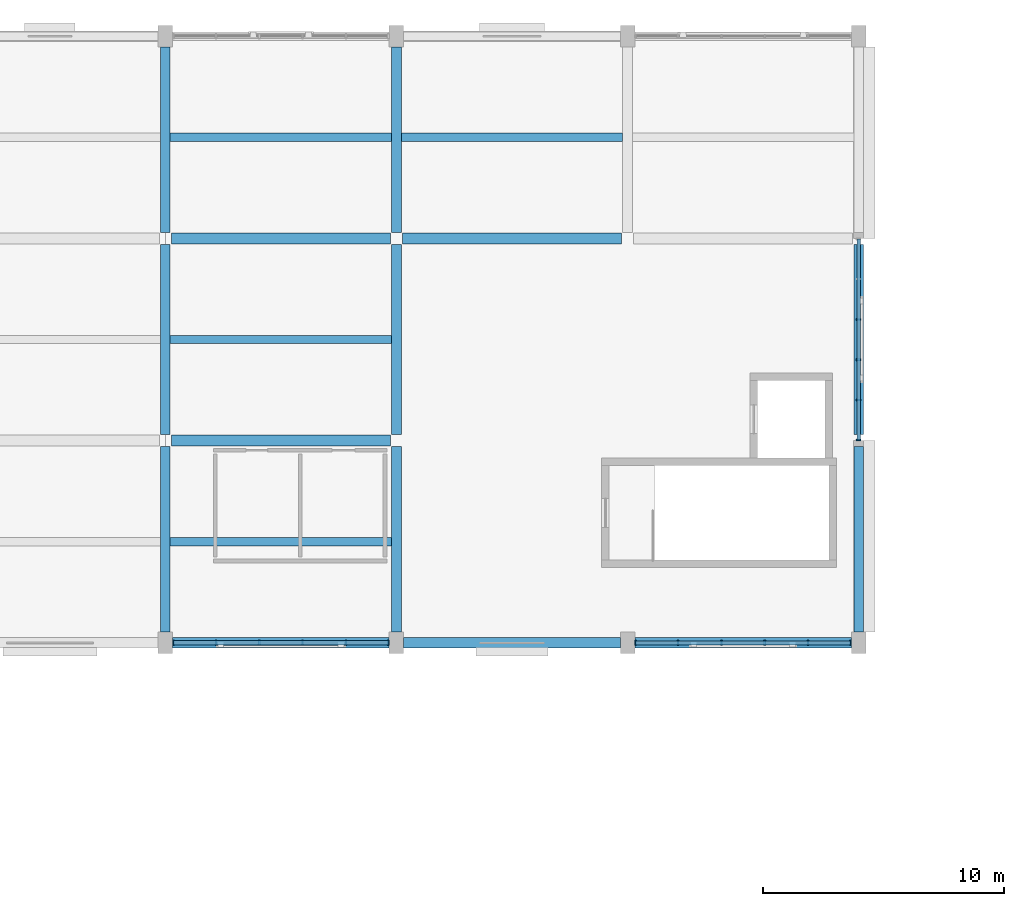
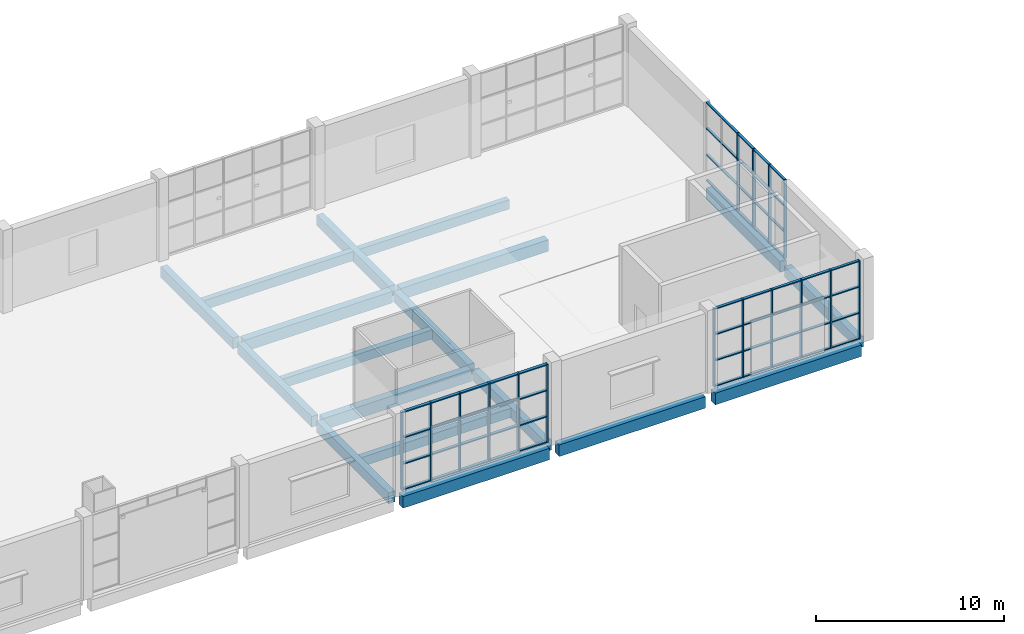
# One storey, part 20 of 57: 28 members, 18 beams, 3 elements without a shape of their own.
"""IFC4 building model written with IfcOpenShell, lengths in metres."""

from ifc_helpers import new_model, si_unit, direction, frame, origin, origin_2d, place, context, subcontext, project, spatial, rectangle, extrude, material, material_profile, profile_set, type_object, element, aggregate, save


model = new_model("IFC4")

# Units and contexts
model_context = context("Model", 3, precision=1e-05, world=origin(), true_north=direction((0.0, 1.0)))
body_context = subcontext(model_context, "Body", "Model", "MODEL_VIEW")
ifc_project = project(units=[si_unit("LENGTHUNIT", "METRE"), si_unit("AREAUNIT", "SQUARE_METRE"), si_unit("VOLUMEUNIT", "CUBIC_METRE"), si_unit("PLANEANGLEUNIT", "RADIAN"), si_unit("MASSUNIT", "GRAM", prefix="KILO")], contexts=[model_context])

# Site, building, storey
site_placement = place(None, origin())
site = spatial("IfcSite", under=ifc_project, at=site_placement, CompositionType="ELEMENT")
building_placement = place(site_placement, origin())
building = spatial("IfcBuilding", under=site, at=building_placement, Name="Shalvenor Court Art Gallery", CompositionType="ELEMENT")
storey_placement = place(building_placement, frame((0.0, 0.0, 16.800048828125)))
storey = spatial("IfcBuildingStorey", under=building, at=storey_placement, Name="L03", CompositionType="ELEMENT", Elevation=16.800048828125)

# Beams
ifc_material_1 = material(Name="Concrete C40/50", Category="concrete")
ifc_material_profile_1 = material_profile(ifc_material_1, rectangle(XDim=0.449951171875, YDim=0.75, at=origin_2d()), Name="RC 450x750")
ifc_profile_set_1 = profile_set([ifc_material_profile_1], Name="Concrete C40/50")
beam_type_1 = type_object("IfcBeamType", Name="B-04", PredefinedType="BEAM", material=ifc_profile_set_1)
for number, where, z_axis, x_axis, name in (
    (1, (96.300048828125, 97.199951171875, -0.675048828125), (1.0, 0.0, 0.0), (0.0, 1.0, 0.0), "L03 Girder BM-L03-B-04-1097"),
    (2, (105.89990234375, 97.199951171875, -0.675048828125), (1.0, 0.0, 0.0), (0.0, 1.0, 0.0), "L03 Girder BM-L03-B-04-1098"),
    (3, (115.5, 97.199951171875, -0.675048828125), (1.0, 0.0, 0.0), (0.0, 1.0, 0.0), "L03 Girder BM-L03-B-04-1099"),
):
    element("IfcBeam", number, at=place(storey_placement, frame(where, z_axis=z_axis, x_axis=x_axis)), inside=storey, type_object=beam_type_1, Name=name, PredefinedType="BEAM", context=body_context, shape_type="SweptSolid", body=[
        extrude(rectangle(XDim=0.449951171875, YDim=0.75, at=origin_2d()), origin(), (0.0, 0.0, 1.0), 9.0),
    ])
for number, where, z_axis, x_axis, name in (
    (4, (96.25, 105.60009765625, -0.675048828125), (1.0, 0.0, 0.0), (0.0, 1.0, 0.0), "L03 Girder BM-L03-B-04-1111"),
    (5, (96.25, 114.0, -0.675048828125), (1.0, 0.0, 0.0), (0.0, 1.0, 0.0), "L03 Girder BM-L03-B-04-1117"),
):
    element("IfcBeam", number, at=place(storey_placement, frame(where, z_axis=z_axis, x_axis=x_axis)), inside=storey, type_object=beam_type_1, Name=name, PredefinedType="BEAM", context=body_context, shape_type="SweptSolid", body=[
        extrude(rectangle(XDim=0.449951171875, YDim=0.75, at=origin_2d()), origin(), (0.0, 0.0, 1.0), 9.10009765625),
    ])
beam_1_placement = place(storey_placement, frame((105.85009765625, 114.0, -0.675048828125), z_axis=(1.0, 0.0, 0.0), x_axis=(0.0, 1.0, 0.0)))
element("IfcBeam", 6, at=beam_1_placement, inside=storey, type_object=beam_type_1, Name="L03 Girder BM-L03-B-04-1118", PredefinedType="BEAM", context=body_context, shape_type="SweptSolid", body=[
    extrude(rectangle(XDim=0.449951171875, YDim=0.75, at=origin_2d()), origin(), (0.0, 0.0, 1.0), 9.099853515625),
])
ifc_material_2 = material(Name="Concrete C40/50", Category="concrete")
ifc_material_profile_2 = material_profile(ifc_material_2, rectangle(XDim=0.39990234375, YDim=0.699951171875, at=origin_2d()), Name="RC 400x700")
ifc_profile_set_2 = profile_set([ifc_material_profile_2], Name="Concrete C40/50")
beam_type_2 = type_object("IfcBeamType", Name="B-05", PredefinedType="BEAM", material=ifc_profile_set_2)
beam_2_placement = place(storey_placement, frame((96.0, 97.64990234375, -0.650146484375), z_axis=(0.0, 1.0, 0.0), x_axis=(-1.0, 0.0, 0.0)))
element("IfcBeam", 7, at=beam_2_placement, inside=storey, type_object=beam_type_2, Name="L03 Girder BM-L03-B-05-0993", PredefinedType="BEAM", context=body_context, shape_type="SweptSolid", body=[
    extrude(rectangle(XDim=0.39990234375, YDim=0.699951171875, at=origin_2d()), origin(), (0.0, 0.0, 1.0), 7.7001953125),
])
beam_3_placement = place(storey_placement, frame((96.0, 105.85009765625, -0.650146484375), z_axis=(0.0, 1.0, 0.0), x_axis=(-1.0, 0.0, 0.0)))
element("IfcBeam", 8, at=beam_3_placement, inside=storey, type_object=beam_type_2, Name="L03 Girder BM-L03-B-05-0994", PredefinedType="BEAM", context=body_context, shape_type="SweptSolid", body=[
    extrude(rectangle(XDim=0.39990234375, YDim=0.699951171875, at=origin_2d()), origin(), (0.0, 0.0, 1.0), 7.89990234375),
])
beam_4_placement = place(storey_placement, frame((96.0, 114.25, -0.650146484375), z_axis=(0.0, 1.0, 0.0), x_axis=(-1.0, 0.0, 0.0)))
element("IfcBeam", 9, at=beam_4_placement, inside=storey, type_object=beam_type_2, Name="L03 Girder BM-L03-B-05-0995", PredefinedType="BEAM", context=body_context, shape_type="SweptSolid", body=[
    extrude(rectangle(XDim=0.39990234375, YDim=0.699951171875, at=origin_2d()), origin(), (0.0, 0.0, 1.0), 7.699951171875),
])
beam_5_placement = place(storey_placement, frame((105.60009765625, 97.64990234375, -0.650146484375), z_axis=(0.0, 1.0, 0.0), x_axis=(-1.0, 0.0, 0.0)))
element("IfcBeam", 10, at=beam_5_placement, inside=storey, type_object=beam_type_2, Name="L03 Girder BM-L03-B-05-1000", PredefinedType="BEAM", context=body_context, shape_type="SweptSolid", body=[
    extrude(rectangle(XDim=0.39990234375, YDim=0.699951171875, at=origin_2d()), origin(), (0.0, 0.0, 1.0), 7.7001953125),
])
beam_6_placement = place(storey_placement, frame((105.60009765625, 105.85009765625, -0.650146484375), z_axis=(0.0, 1.0, 0.0), x_axis=(-1.0, 0.0, 0.0)))
element("IfcBeam", 11, at=beam_6_placement, inside=storey, type_object=beam_type_2, Name="L03 Girder BM-L03-B-05-1001", PredefinedType="BEAM", context=body_context, shape_type="SweptSolid", body=[
    extrude(rectangle(XDim=0.39990234375, YDim=0.699951171875, at=origin_2d()), origin(), (0.0, 0.0, 1.0), 7.89990234375),
])
beam_7_placement = place(storey_placement, frame((105.60009765625, 114.25, -0.650146484375), z_axis=(0.0, 1.0, 0.0), x_axis=(-1.0, 0.0, 0.0)))
element("IfcBeam", 12, at=beam_7_placement, inside=storey, type_object=beam_type_2, Name="L03 Girder BM-L03-B-05-1002", PredefinedType="BEAM", context=body_context, shape_type="SweptSolid", body=[
    extrude(rectangle(XDim=0.39990234375, YDim=0.699951171875, at=origin_2d()), origin(), (0.0, 0.0, 1.0), 7.699951171875),
])
beam_8_placement = place(storey_placement, frame((124.800048828125, 97.64990234375, -0.650146484375), z_axis=(0.0, 1.0, 0.0), x_axis=(-1.0, 0.0, 0.0)))
element("IfcBeam", 13, at=beam_8_placement, inside=storey, type_object=beam_type_2, Name="L03 Girder BM-L03-B-05-1010", PredefinedType="BEAM", context=body_context, shape_type="SweptSolid", body=[
    extrude(rectangle(XDim=0.39990234375, YDim=0.699951171875, at=origin_2d()), origin(), (0.0, 0.0, 1.0), 7.7001953125),
])
beam_9_placement = place(storey_placement, frame((124.800048828125, 105.85009765625, -0.650146484375), z_axis=(0.0, 1.0, 0.0), x_axis=(-1.0, 0.0, 0.0)))
element("IfcBeam", 14, at=beam_9_placement, inside=storey, type_object=beam_type_2, Name="L03 Girder BM-L03-B-05-1011", PredefinedType="BEAM", context=body_context, shape_type="SweptSolid", body=[
    extrude(rectangle(XDim=0.39990234375, YDim=0.699951171875, at=origin_2d()), origin(), (0.0, 0.0, 1.0), 7.89990234375),
])

# Curtain wall, members
ifc_material_3 = material(Name="Anodised aluminium and low-iron glass curtain wall", Category="aluminium")
curtain_wall_type_1 = type_object("IfcCurtainWallType", Name="CW-5x3-84-51-112", PredefinedType="USERDEFINED", material=ifc_material_3)
curtain_wall_1_placement = place(storey_placement, origin())
curtain_wall_1 = element("IfcCurtainWall", 15, at=curtain_wall_1_placement, inside=storey, type_object=curtain_wall_type_1, Name="L03 V2 Curtain Wall CW-L03-084", ObjectType="CURTAIN WALL", PredefinedType="USERDEFINED")
ifc_material_4 = material(Name="Anodised aluminium mullion", Category="aluminium")
ifc_material_profile_3 = material_profile(ifc_material_4, rectangle(XDim=0.06494140625, YDim=0.179931640625, at=origin_2d()), Name="CWM-01")
ifc_profile_set_3 = profile_set([ifc_material_profile_3], Name="Anodised aluminium mullion")
member_type_1 = type_object("IfcMemberType", Name="CWM-01", PredefinedType="MULLION", material=ifc_profile_set_3)
member_1_placement = place(storey_placement, frame((124.800048828125, 110.639892578125, 0.0), z_axis=(0.0, 0.0, 1.0), x_axis=(0.0, -1.0, 0.0)))
member_1 = element("IfcMember", 16, at=member_1_placement, type_object=member_type_1, Name="CW-5x3-84-51-112 mullion 3", PredefinedType="MULLION", context=body_context, shape_type="SweptSolid", body=[
    extrude(rectangle(XDim=0.06494140625, YDim=0.179931640625, at=origin_2d()), origin(), (0.0, 0.0, 1.0), 5.099853515625),
])
member_2_placement = place(storey_placement, frame((124.800048828125, 108.9599609375, 0.0), z_axis=(0.0, 0.0, 1.0), x_axis=(0.0, -1.0, 0.0)))
member_2 = element("IfcMember", 17, at=member_2_placement, type_object=member_type_1, Name="CW-5x3-84-51-112 mullion 4", PredefinedType="MULLION", context=body_context, shape_type="SweptSolid", body=[
    extrude(rectangle(XDim=0.06494140625, YDim=0.179931640625, at=origin_2d()), origin(), (0.0, 0.0, 1.0), 5.099853515625),
])
member_3_placement = place(storey_placement, frame((124.800048828125, 107.280029296875, 0.0), z_axis=(0.0, 0.0, 1.0), x_axis=(0.0, -1.0, 0.0)))
member_3 = element("IfcMember", 18, at=member_3_placement, type_object=member_type_1, Name="CW-5x3-84-51-112 mullion 5", PredefinedType="MULLION", context=body_context, shape_type="SweptSolid", body=[
    extrude(rectangle(XDim=0.06494140625, YDim=0.179931640625, at=origin_2d()), origin(), (0.0, 0.0, 1.0), 5.099853515625),
])
member_4_placement = place(storey_placement, frame((124.800048828125, 105.632568359375, 0.0), z_axis=(0.0, 0.0, 1.0), x_axis=(0.0, -1.0, 0.0)))
member_4 = element("IfcMember", 19, at=member_4_placement, type_object=member_type_1, Name="CW-5x3-84-51-112 mullion 6", PredefinedType="MULLION", context=body_context, shape_type="SweptSolid", body=[
    extrude(rectangle(XDim=0.06494140625, YDim=0.179931640625, at=origin_2d()), origin(), (0.0, 0.0, 1.0), 5.099853515625),
])

ifc_material_5 = material(Name="Anodised aluminium and low-iron glass curtain wall", Category="aluminium")
curtain_wall_type_2 = type_object("IfcCurtainWallType", Name="CW-5x3-90-51-222", PredefinedType="USERDEFINED", material=ifc_material_5)
curtain_wall_2_placement = place(storey_placement, origin())
curtain_wall_2 = element("IfcCurtainWall", 20, at=curtain_wall_2_placement, inside=storey, type_object=curtain_wall_type_2, Name="L03 V2 Curtain Wall CW-L03-085", ObjectType="CURTAIN WALL", PredefinedType="USERDEFINED")
ifc_material_6 = material(Name="Anodised aluminium mullion", Category="aluminium")
ifc_material_profile_4 = material_profile(ifc_material_6, rectangle(XDim=0.070068359375, YDim=0.199951171875, at=origin_2d()), Name="CWM-02")
ifc_profile_set_4 = profile_set([ifc_material_profile_4], Name="Anodised aluminium mullion")
member_type_2 = type_object("IfcMemberType", Name="CWM-02", PredefinedType="MULLION", material=ifc_profile_set_4)
member_5_placement = place(storey_placement, frame((124.465087890625, 97.199951171875, 0.0), z_axis=(0.0, 0.0, 1.0), x_axis=(-1.0, 0.0, 0.0)))
member_5 = element("IfcMember", 21, at=member_5_placement, type_object=member_type_2, Name="CW-5x3-90-51-222 mullion 1", PredefinedType="MULLION", context=body_context, shape_type="SweptSolid", body=[
    extrude(rectangle(XDim=0.070068359375, YDim=0.199951171875, at=origin_2d()), origin(), (0.0, 0.0, 1.0), 5.099853515625),
])
member_6_placement = place(storey_placement, frame((122.699951171875, 97.199951171875, 0.0), z_axis=(0.0, 0.0, 1.0), x_axis=(-1.0, 0.0, 0.0)))
member_6 = element("IfcMember", 22, at=member_6_placement, type_object=member_type_2, Name="CW-5x3-90-51-222 mullion 2", PredefinedType="MULLION", context=body_context, shape_type="SweptSolid", body=[
    extrude(rectangle(XDim=0.070068359375, YDim=0.199951171875, at=origin_2d()), origin(), (0.0, 0.0, 1.0), 5.099853515625),
])
member_7_placement = place(storey_placement, frame((120.89990234375, 97.199951171875, 0.0), z_axis=(0.0, 0.0, 1.0), x_axis=(-1.0, 0.0, 0.0)))
member_7 = element("IfcMember", 23, at=member_7_placement, type_object=member_type_2, Name="CW-5x3-90-51-222 mullion 3", PredefinedType="MULLION", context=body_context, shape_type="SweptSolid", body=[
    extrude(rectangle(XDim=0.070068359375, YDim=0.199951171875, at=origin_2d()), origin(), (0.0, 0.0, 1.0), 5.099853515625),
])
member_8_placement = place(storey_placement, frame((119.10009765625, 97.199951171875, 0.0), z_axis=(0.0, 0.0, 1.0), x_axis=(-1.0, 0.0, 0.0)))
member_8 = element("IfcMember", 24, at=member_8_placement, type_object=member_type_2, Name="CW-5x3-90-51-222 mullion 4", PredefinedType="MULLION", context=body_context, shape_type="SweptSolid", body=[
    extrude(rectangle(XDim=0.070068359375, YDim=0.199951171875, at=origin_2d()), origin(), (0.0, 0.0, 1.0), 5.099853515625),
])
member_9_placement = place(storey_placement, frame((117.300048828125, 97.199951171875, 0.0), z_axis=(0.0, 0.0, 1.0), x_axis=(-1.0, 0.0, 0.0)))
member_9 = element("IfcMember", 25, at=member_9_placement, type_object=member_type_2, Name="CW-5x3-90-51-222 mullion 5", PredefinedType="MULLION", context=body_context, shape_type="SweptSolid", body=[
    extrude(rectangle(XDim=0.070068359375, YDim=0.199951171875, at=origin_2d()), origin(), (0.0, 0.0, 1.0), 5.099853515625),
])
member_10_placement = place(storey_placement, frame((115.534912109375, 97.199951171875, 0.0), z_axis=(0.0, 0.0, 1.0), x_axis=(-1.0, 0.0, 0.0)))
member_10 = element("IfcMember", 26, at=member_10_placement, type_object=member_type_2, Name="CW-5x3-90-51-222 mullion 6", PredefinedType="MULLION", context=body_context, shape_type="SweptSolid", body=[
    extrude(rectangle(XDim=0.070068359375, YDim=0.199951171875, at=origin_2d()), origin(), (0.0, 0.0, 1.0), 5.099853515625),
])

ifc_material_7 = material(Name="Anodised aluminium and low-iron glass curtain wall", Category="aluminium")
curtain_wall_type_3 = type_object("IfcCurtainWallType", Name="CW-5x3-90-51-442", PredefinedType="USERDEFINED", material=ifc_material_7)
curtain_wall_3_placement = place(storey_placement, origin())
curtain_wall_3 = element("IfcCurtainWall", 27, at=curtain_wall_3_placement, inside=storey, type_object=curtain_wall_type_3, Name="L03 V2 Curtain Wall CW-L03-086", ObjectType="CURTAIN WALL", PredefinedType="USERDEFINED")
ifc_material_8 = material(Name="Anodised aluminium mullion", Category="aluminium")
ifc_material_profile_5 = material_profile(ifc_material_8, rectangle(XDim=0.074951171875, YDim=0.219970703125, at=origin_2d()), Name="CWM-04")
ifc_profile_set_5 = profile_set([ifc_material_profile_5], Name="Anodised aluminium mullion")
member_type_3 = type_object("IfcMemberType", Name="CWM-04", PredefinedType="MULLION", material=ifc_profile_set_5)
member_11_placement = place(storey_placement, frame((105.262451171875, 97.199951171875, 0.0), z_axis=(0.0, 0.0, 1.0), x_axis=(-1.0, 0.0, 0.0)))
member_11 = element("IfcMember", 28, at=member_11_placement, type_object=member_type_3, Name="CW-5x3-90-51-442 mullion 1", PredefinedType="MULLION", context=body_context, shape_type="SweptSolid", body=[
    extrude(rectangle(XDim=0.074951171875, YDim=0.219970703125, at=origin_2d()), origin(), (0.0, 0.0, 1.0), 5.099853515625),
])
member_12_placement = place(storey_placement, frame((103.5, 97.199951171875, 0.0), z_axis=(0.0, 0.0, 1.0), x_axis=(-1.0, 0.0, 0.0)))
member_12 = element("IfcMember", 29, at=member_12_placement, type_object=member_type_3, Name="CW-5x3-90-51-442 mullion 2", PredefinedType="MULLION", context=body_context, shape_type="SweptSolid", body=[
    extrude(rectangle(XDim=0.074951171875, YDim=0.219970703125, at=origin_2d()), origin(), (0.0, 0.0, 1.0), 5.099853515625),
])
member_13_placement = place(storey_placement, frame((101.699951171875, 97.199951171875, 0.0), z_axis=(0.0, 0.0, 1.0), x_axis=(-1.0, 0.0, 0.0)))
member_13 = element("IfcMember", 30, at=member_13_placement, type_object=member_type_3, Name="CW-5x3-90-51-442 mullion 3", PredefinedType="MULLION", context=body_context, shape_type="SweptSolid", body=[
    extrude(rectangle(XDim=0.074951171875, YDim=0.219970703125, at=origin_2d()), origin(), (0.0, 0.0, 1.0), 5.099853515625),
])
member_14_placement = place(storey_placement, frame((99.89990234375, 97.199951171875, 0.0), z_axis=(0.0, 0.0, 1.0), x_axis=(-1.0, 0.0, 0.0)))
member_14 = element("IfcMember", 31, at=member_14_placement, type_object=member_type_3, Name="CW-5x3-90-51-442 mullion 4", PredefinedType="MULLION", context=body_context, shape_type="SweptSolid", body=[
    extrude(rectangle(XDim=0.074951171875, YDim=0.219970703125, at=origin_2d()), origin(), (0.0, 0.0, 1.0), 5.099853515625),
])
member_15_placement = place(storey_placement, frame((98.10009765625, 97.199951171875, 0.0), z_axis=(0.0, 0.0, 1.0), x_axis=(-1.0, 0.0, 0.0)))
member_15 = element("IfcMember", 32, at=member_15_placement, type_object=member_type_3, Name="CW-5x3-90-51-442 mullion 5", PredefinedType="MULLION", context=body_context, shape_type="SweptSolid", body=[
    extrude(rectangle(XDim=0.074951171875, YDim=0.219970703125, at=origin_2d()), origin(), (0.0, 0.0, 1.0), 5.099853515625),
])
member_16_placement = place(storey_placement, frame((96.33740234375, 97.199951171875, 0.0), z_axis=(0.0, 0.0, 1.0), x_axis=(-1.0, 0.0, 0.0)))
member_16 = element("IfcMember", 33, at=member_16_placement, type_object=member_type_3, Name="CW-5x3-90-51-442 mullion 6", PredefinedType="MULLION", context=body_context, shape_type="SweptSolid", body=[
    extrude(rectangle(XDim=0.074951171875, YDim=0.219970703125, at=origin_2d()), origin(), (0.0, 0.0, 1.0), 5.099853515625),
])

# Member
ifc_material_9 = material(Name="Anodised aluminium transom", Category="aluminium")
ifc_material_profile_6 = material_profile(ifc_material_9, rectangle(XDim=0.14990234375, YDim=0.06005859375, at=origin_2d()), Name="CWT-01")
ifc_profile_set_6 = profile_set([ifc_material_profile_6], Name="Anodised aluminium transom")
member_type_4 = type_object("IfcMemberType", Name="CWT-01", PredefinedType="USERDEFINED", material=ifc_profile_set_6)
member_17_placement = place(storey_placement, frame((124.800048828125, 113.967529296875, 0.030029296875), z_axis=(0.0, -1.0, 0.0), x_axis=(1.0, 0.0, 0.0)))
member_17 = element("IfcMember", 34, at=member_17_placement, type_object=member_type_4, Name="CW-5x3-84-51-112 transom 1", ObjectType="TRANSOM", PredefinedType="USERDEFINED", context=body_context, shape_type="SweptSolid", body=[
    extrude(rectangle(XDim=0.14990234375, YDim=0.06005859375, at=origin_2d()), origin(), (0.0, 0.0, 1.0), 8.3349609375),
])

member_18_placement = place(storey_placement, frame((124.800048828125, 113.967529296875, 1.699951171875), z_axis=(0.0, -1.0, 0.0), x_axis=(1.0, 0.0, 0.0)))
member_18 = element("IfcMember", 35, at=member_18_placement, type_object=member_type_4, Name="CW-5x3-84-51-112 transom 2", ObjectType="TRANSOM", PredefinedType="USERDEFINED", context=body_context, shape_type="SweptSolid", body=[
    extrude(rectangle(XDim=0.14990234375, YDim=0.06005859375, at=origin_2d()), origin(), (0.0, 0.0, 1.0), 8.3349609375),
])

member_19_placement = place(storey_placement, frame((124.800048828125, 113.967529296875, 3.39990234375), z_axis=(0.0, -1.0, 0.0), x_axis=(1.0, 0.0, 0.0)))
member_19 = element("IfcMember", 36, at=member_19_placement, type_object=member_type_4, Name="CW-5x3-84-51-112 transom 3", ObjectType="TRANSOM", PredefinedType="USERDEFINED", context=body_context, shape_type="SweptSolid", body=[
    extrude(rectangle(XDim=0.14990234375, YDim=0.06005859375, at=origin_2d()), origin(), (0.0, 0.0, 1.0), 8.3349609375),
])

member_20_placement = place(storey_placement, frame((124.800048828125, 113.967529296875, 5.070068359375), z_axis=(0.0, -1.0, 0.0), x_axis=(1.0, 0.0, 0.0)))
member_20 = element("IfcMember", 37, at=member_20_placement, type_object=member_type_4, Name="CW-5x3-84-51-112 transom 4", ObjectType="TRANSOM", PredefinedType="USERDEFINED", context=body_context, shape_type="SweptSolid", body=[
    extrude(rectangle(XDim=0.14990234375, YDim=0.06005859375, at=origin_2d()), origin(), (0.0, 0.0, 1.0), 8.3349609375),
])

aggregate(curtain_wall_1, [member_1, member_2, member_3, member_4, member_17, member_18, member_19, member_20])

ifc_material_10 = material(Name="Anodised aluminium transom", Category="aluminium")
ifc_material_profile_7 = material_profile(ifc_material_10, rectangle(XDim=0.169921875, YDim=0.06494140625, at=origin_2d()), Name="CWT-02")
ifc_profile_set_7 = profile_set([ifc_material_profile_7], Name="Anodised aluminium transom")
member_type_5 = type_object("IfcMemberType", Name="CWT-02", PredefinedType="USERDEFINED", material=ifc_profile_set_7)
member_21_placement = place(storey_placement, frame((124.465087890625, 97.199951171875, 0.032470703125), z_axis=(-1.0, 0.0, 0.0), x_axis=(0.0, -1.0, 0.0)))
member_21 = element("IfcMember", 38, at=member_21_placement, type_object=member_type_5, Name="CW-5x3-90-51-222 transom 1", ObjectType="TRANSOM", PredefinedType="USERDEFINED", context=body_context, shape_type="SweptSolid", body=[
    extrude(rectangle(XDim=0.169921875, YDim=0.06494140625, at=origin_2d()), origin(), (0.0, 0.0, 1.0), 8.93017578125),
])

member_22_placement = place(storey_placement, frame((124.465087890625, 97.199951171875, 1.699951171875), z_axis=(-1.0, 0.0, 0.0), x_axis=(0.0, -1.0, 0.0)))
member_22 = element("IfcMember", 39, at=member_22_placement, type_object=member_type_5, Name="CW-5x3-90-51-222 transom 2", ObjectType="TRANSOM", PredefinedType="USERDEFINED", context=body_context, shape_type="SweptSolid", body=[
    extrude(rectangle(XDim=0.169921875, YDim=0.06494140625, at=origin_2d()), origin(), (0.0, 0.0, 1.0), 8.93017578125),
])

member_23_placement = place(storey_placement, frame((124.465087890625, 97.199951171875, 3.39990234375), z_axis=(-1.0, 0.0, 0.0), x_axis=(0.0, -1.0, 0.0)))
member_23 = element("IfcMember", 40, at=member_23_placement, type_object=member_type_5, Name="CW-5x3-90-51-222 transom 3", ObjectType="TRANSOM", PredefinedType="USERDEFINED", context=body_context, shape_type="SweptSolid", body=[
    extrude(rectangle(XDim=0.169921875, YDim=0.06494140625, at=origin_2d()), origin(), (0.0, 0.0, 1.0), 8.93017578125),
])

member_24_placement = place(storey_placement, frame((124.465087890625, 97.199951171875, 5.0673828125), z_axis=(-1.0, 0.0, 0.0), x_axis=(0.0, -1.0, 0.0)))
member_24 = element("IfcMember", 41, at=member_24_placement, type_object=member_type_5, Name="CW-5x3-90-51-222 transom 4", ObjectType="TRANSOM", PredefinedType="USERDEFINED", context=body_context, shape_type="SweptSolid", body=[
    extrude(rectangle(XDim=0.169921875, YDim=0.06494140625, at=origin_2d()), origin(), (0.0, 0.0, 1.0), 8.93017578125),
])

aggregate(curtain_wall_2, [member_5, member_6, member_7, member_8, member_9, member_10, member_21, member_22, member_23, member_24])

ifc_material_11 = material(Name="Anodised aluminium transom", Category="aluminium")
ifc_material_profile_8 = material_profile(ifc_material_11, rectangle(XDim=0.18994140625, YDim=0.070068359375, at=origin_2d()), Name="CWT-04")
ifc_profile_set_8 = profile_set([ifc_material_profile_8], Name="Anodised aluminium transom")
member_type_6 = type_object("IfcMemberType", Name="CWT-04", PredefinedType="USERDEFINED", material=ifc_profile_set_8)
member_25_placement = place(storey_placement, frame((105.262451171875, 97.199951171875, 0.034912109375), z_axis=(-1.0, 0.0, 0.0), x_axis=(0.0, -1.0, 0.0)))
member_25 = element("IfcMember", 42, at=member_25_placement, type_object=member_type_6, Name="CW-5x3-90-51-442 transom 1", ObjectType="TRANSOM", PredefinedType="USERDEFINED", context=body_context, shape_type="SweptSolid", body=[
    extrude(rectangle(XDim=0.18994140625, YDim=0.070068359375, at=origin_2d()), origin(), (0.0, 0.0, 1.0), 8.925048828125),
])

member_26_placement = place(storey_placement, frame((105.262451171875, 97.199951171875, 1.699951171875), z_axis=(-1.0, 0.0, 0.0), x_axis=(0.0, -1.0, 0.0)))
member_26 = element("IfcMember", 43, at=member_26_placement, type_object=member_type_6, Name="CW-5x3-90-51-442 transom 2", ObjectType="TRANSOM", PredefinedType="USERDEFINED", context=body_context, shape_type="SweptSolid", body=[
    extrude(rectangle(XDim=0.18994140625, YDim=0.070068359375, at=origin_2d()), origin(), (0.0, 0.0, 1.0), 8.925048828125),
])

member_27_placement = place(storey_placement, frame((105.262451171875, 97.199951171875, 3.39990234375), z_axis=(-1.0, 0.0, 0.0), x_axis=(0.0, -1.0, 0.0)))
member_27 = element("IfcMember", 44, at=member_27_placement, type_object=member_type_6, Name="CW-5x3-90-51-442 transom 3", ObjectType="TRANSOM", PredefinedType="USERDEFINED", context=body_context, shape_type="SweptSolid", body=[
    extrude(rectangle(XDim=0.18994140625, YDim=0.070068359375, at=origin_2d()), origin(), (0.0, 0.0, 1.0), 8.925048828125),
])

member_28_placement = place(storey_placement, frame((105.262451171875, 97.199951171875, 5.06494140625), z_axis=(-1.0, 0.0, 0.0), x_axis=(0.0, -1.0, 0.0)))
member_28 = element("IfcMember", 45, at=member_28_placement, type_object=member_type_6, Name="CW-5x3-90-51-442 transom 4", ObjectType="TRANSOM", PredefinedType="USERDEFINED", context=body_context, shape_type="SweptSolid", body=[
    extrude(rectangle(XDim=0.18994140625, YDim=0.070068359375, at=origin_2d()), origin(), (0.0, 0.0, 1.0), 8.925048828125),
])

aggregate(curtain_wall_3, [member_11, member_12, member_13, member_14, member_15, member_16, member_25, member_26, member_27, member_28])

# Beams
ifc_material_12 = material(Name="Concrete C40/50", Category="concrete")
ifc_material_profile_9 = material_profile(ifc_material_12, rectangle(XDim=0.35009765625, YDim=0.60009765625, at=origin_2d()), Name="RC 350x600")
ifc_profile_set_9 = profile_set([ifc_material_profile_9], Name="Concrete C40/50")
beam_type_3 = type_object("IfcBeamType", Name="J-01", PredefinedType="JOIST", material=ifc_profile_set_9)
for number, where, z_axis, x_axis, name in (
    (46, (96.199951171875, 101.39990234375, -0.60009765625), (1.0, 0.0, 0.0), (0.0, 1.0, 0.0), "L03 Secondary Beam JST-L03-J-01-1145"),
    (47, (96.199951171875, 109.800048828125, -0.60009765625), (1.0, 0.0, 0.0), (0.0, 1.0, 0.0), "L03 Secondary Beam JST-L03-J-01-1146"),
    (48, (96.199951171875, 118.199951171875, -0.60009765625), (1.0, 0.0, 0.0), (0.0, 1.0, 0.0), "L03 Secondary Beam JST-L03-J-01-1147"),
    (49, (105.800048828125, 118.199951171875, -0.60009765625), (1.0, 0.0, 0.0), (0.0, 1.0, 0.0), "L03 Secondary Beam JST-L03-J-01-1149"),
):
    element("IfcBeam", number, at=place(storey_placement, frame(where, z_axis=z_axis, x_axis=x_axis)), inside=storey, type_object=beam_type_3, Name=name, PredefinedType="JOIST", context=body_context, shape_type="SweptSolid", body=[
        extrude(rectangle(XDim=0.35009765625, YDim=0.60009765625, at=origin_2d()), origin(), (0.0, 0.0, 1.0), 9.199951171875),
    ])

save(model, "model.ifc")
